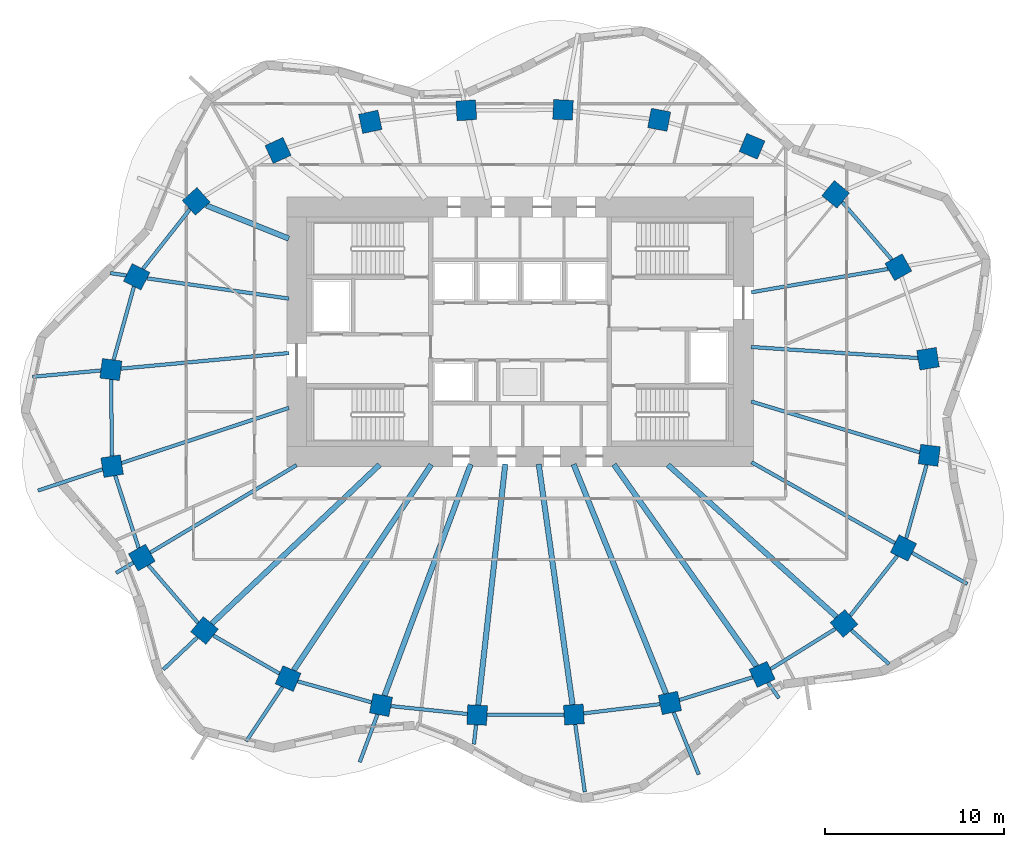
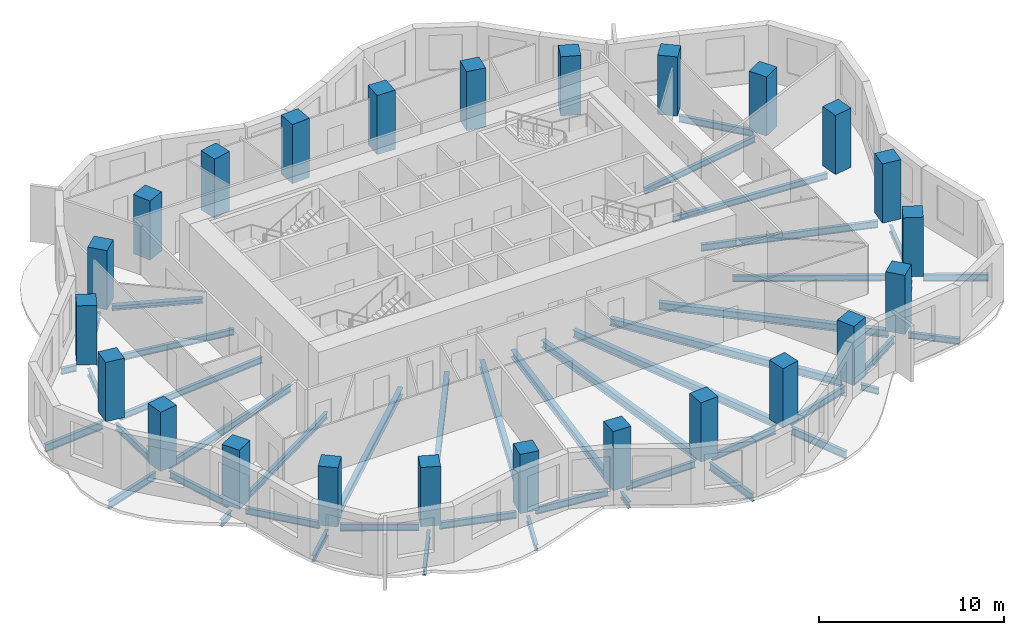
# One storey, part 1 of 10: 45 beams, 24 columns.
"""IFC4 building model written with IfcOpenShell, lengths in metres."""

import ifcopenshell
import ifcopenshell.guid

model = None  # the IFC model being written
_history = None  # IfcOwnerHistory: only IFC2X3 demands one
_inside = {}  # id of a spatial element -> (the spatial element, [elements in it])
_under = {}  # id of a project, library or spatial element -> (it, [spatial elements below it])
_declared = {}  # id of a project -> (the project, [libraries it declares])
_typed = {}  # id of a type object -> (the type object, [elements of that type])
_made_of = {}  # id of a material, layer set ... -> (it, [elements and type objects made of it])


def new_model(schema):
    """Start an empty IFC model of exactly this schema.

    Asked for "IFC4X3", IfcOpenShell would pick the latest addendum, in which some entities
    have other attributes; the version numbers below select the first issue.
    IFC2X3 requires an IfcOwnerHistory on every rooted entity: one is made here for all.
    """
    global model, _history
    if schema == "IFC4X3":
        model = ifcopenshell.file(schema_version=(4, 3, 0, 0))
    else:
        model = ifcopenshell.file(schema=schema)
    _inside.clear()
    _under.clear()
    _declared.clear()
    _typed.clear()
    _made_of.clear()
    _history = None
    if model.schema == "IFC2X3":
        org = make("IfcOrganization", Name="unknown")
        user = make(
            "IfcPersonAndOrganization",
            ThePerson=make("IfcPerson", FamilyName="unknown"),
            TheOrganization=org,
        )
        app = make(
            "IfcApplication",
            ApplicationDeveloper=org,
            Version="unknown",
            ApplicationFullName="unknown",
            ApplicationIdentifier="unknown",
        )
        _history = make(
            "IfcOwnerHistory",
            OwningUser=user,
            OwningApplication=app,
            ChangeAction="ADDED",
            CreationDate=0,
        )
    return model


def make(cls, **values):
    """One entity of the class cls with the attributes given. An attribute that is None is left unset."""
    return model.create_entity(
        cls, **{name: value for name, value in values.items() if value is not None}
    )


def rooted(cls, **values):
    """An entity with a GlobalId (a new one), such as an element, a storey or a relation."""
    return make(cls, GlobalId=ifcopenshell.guid.new(), OwnerHistory=_history, **values)


def si_unit(unit_type, name, prefix=None):
    """IfcSIUnit, for example si_unit("LENGTHUNIT", "METRE", prefix="MILLI")."""
    return make("IfcSIUnit", UnitType=unit_type, Prefix=prefix, Name=name)


def assignment(units):
    """IfcUnitAssignment: the units of a project."""
    return None if units is None else make("IfcUnitAssignment", Units=units)


def point(xyz):
    """IfcCartesianPoint."""
    return None if xyz is None else make("IfcCartesianPoint", Coordinates=xyz)


def direction(xyz):
    """IfcDirection."""
    return None if xyz is None else make("IfcDirection", DirectionRatios=xyz)


def frame(location, z_axis=None, x_axis=None):
    """IfcAxis2Placement3D, a coordinate frame: its origin and axes. An axis left out is left unset."""
    return make(
        "IfcAxis2Placement3D",
        Location=point(location),
        Axis=direction(z_axis),
        RefDirection=direction(x_axis),
    )


def frame_2d(location, x_axis=None):
    """IfcAxis2Placement2D, a coordinate frame in the plane: its origin and x axis."""
    return make(
        "IfcAxis2Placement2D", Location=point(location), RefDirection=direction(x_axis)
    )


def origin():
    """The frame at (0, 0, 0) with its axes left unset."""
    return frame((0.0, 0.0, 0.0))


def origin_2d():
    """The frame at (0, 0) in the plane with its x axis left unset."""
    return frame_2d((0.0, 0.0))


def place(relative_to, where):
    """IfcLocalPlacement: puts the frame where relative to a parent placement (None: the world)."""
    return make(
        "IfcLocalPlacement", PlacementRelTo=relative_to, RelativePlacement=where
    )


def context(
    kind, dimensions, precision=None, world=None, true_north=None, identifier=None
):
    """IfcGeometricRepresentationContext, for example the 3D "Model" context."""
    return make(
        "IfcGeometricRepresentationContext",
        ContextIdentifier=identifier,
        ContextType=kind,
        CoordinateSpaceDimension=dimensions,
        Precision=precision,
        WorldCoordinateSystem=world,
        TrueNorth=true_north,
    )


def subcontext(parent, identifier, kind, view, scale=None):
    """IfcGeometricRepresentationSubContext, for example "Body" below "Model"."""
    return make(
        "IfcGeometricRepresentationSubContext",
        ContextIdentifier=identifier,
        ContextType=kind,
        ParentContext=parent,
        TargetScale=scale,
        TargetView=view,
    )


def project(units=None, contexts=None):
    """IfcProject with its units and contexts."""
    return rooted(
        "IfcProject",
        Name="project",
        RepresentationContexts=contexts,
        UnitsInContext=assignment(units),
    )


def spatial(cls, under=None, at=None, **own):
    """A site, building, storey or space (cls), placed at a placement, below another one or the project."""
    s = rooted(cls, ObjectPlacement=at, **own)
    if under is not None:
        _under.setdefault(under.id(), (under, []))[1].append(s)
    return s


def profile(cls, at=None, kind="AREA", **sizes):
    """A parametric profile (cls). Its sizes go by their IFC names, for example OverallWidth=200.0."""
    return make(cls, ProfileType=kind, Position=at, **sizes)


def rectangle(**sizes):
    """IfcRectangleProfileDef."""
    return profile("IfcRectangleProfileDef", **sizes)


def i_section(**sizes):
    """IfcIShapeProfileDef."""
    return profile("IfcIShapeProfileDef", **sizes)


def extrude(swept, where, along, depth):
    """IfcExtrudedAreaSolid: the profile swept, set in the frame where, extruded along a direction by depth."""
    return make(
        "IfcExtrudedAreaSolid",
        SweptArea=swept,
        Position=where,
        ExtrudedDirection=direction(along),
        Depth=depth,
    )


def shape(context_of_items, identifier, shape_type, items):
    """IfcShapeRepresentation: the items that make up one representation, for example the "Body"."""
    return make(
        "IfcShapeRepresentation",
        ContextOfItems=context_of_items,
        RepresentationIdentifier=identifier,
        RepresentationType=shape_type,
        Items=items,
    )


def material(Name=None, Category=None):
    """IfcMaterial."""
    return make("IfcMaterial", Name=Name, Category=Category)


def material_profile(
    of_material, cross_section, Name=None, Category=None, Priority=None
):
    """IfcMaterialProfile: a cross section and its material."""
    return make(
        "IfcMaterialProfile",
        Name=Name,
        Material=of_material,
        Profile=cross_section,
        Priority=Priority,
        Category=Category,
    )


def profile_set(profiles, Name=None, composite=None):
    """IfcMaterialProfileSet."""
    return make(
        "IfcMaterialProfileSet",
        Name=Name,
        MaterialProfiles=profiles,
        CompositeProfile=composite,
    )


def made_of(thing, what):
    """Note that an element or type object is made of a material, layer set ...; save() writes the relation."""
    if what is not None:
        _made_of.setdefault(what.id(), (what, []))[1].append(thing)
    return thing


def type_object(cls, material=None, **own):
    """A type object (cls), such as IfcWallType, which elements share."""
    return made_of(rooted(cls, **own), material)


def element(
    cls,
    number,
    at=None,
    inside=None,
    cuts=None,
    type_object=None,
    material=None,
    context=None,
    identifier="Body",
    shape_type=None,
    held_by="IfcProductDefinitionShape",
    body=None,
    shapes=None,
    **own,
):
    """One element of the class cls, such as IfcWall. Its Tag is "e" and its number.

    at: its placement. inside: the storey or other place that contains it. cuts: it is an
    opening in that element (IfcRelVoidsElement). A single representation is given by context,
    identifier, shape_type and body (its items); several are given by shapes. held_by: the class
    of the entity that holds the representations. save() writes the other relations.
    """
    e = rooted(cls, Tag="e%d" % number, ObjectPlacement=at, **own)
    if body is not None:
        shapes = [shape(context, identifier, shape_type, body)]
    if shapes is not None:
        e.Representation = make(held_by, Representations=shapes)
    if inside is not None:
        _inside.setdefault(inside.id(), (inside, []))[1].append(e)
    if cuts is not None:
        rooted(
            "IfcRelVoidsElement", RelatingBuildingElement=cuts, RelatedOpeningElement=e
        )
    if type_object is not None:
        _typed.setdefault(type_object.id(), (type_object, []))[1].append(e)
    return made_of(e, material)


def aggregate(whole, parts):
    """IfcRelAggregates: a whole, such as a stair, and the parts it consists of."""
    return rooted("IfcRelAggregates", RelatingObject=whole, RelatedObjects=parts)


def save(model, path):
    """Write the relations noted so far, then the file.

    IfcRelAggregates (storeys below a building ...), IfcRelContainedInSpatialStructure (elements
    in a storey), IfcRelDefinesByType, IfcRelAssociatesMaterial and IfcRelDeclares: one each for
    every whole, place, type object, material and project.
    """
    for whole, parts in _under.values():
        aggregate(whole, parts)
    for where, things in _inside.values():
        rooted(
            "IfcRelContainedInSpatialStructure",
            RelatedElements=things,
            RelatingStructure=where,
        )
    for kind, things in _typed.values():
        rooted("IfcRelDefinesByType", RelatedObjects=things, RelatingType=kind)
    for what, things in _made_of.values():
        rooted("IfcRelAssociatesMaterial", RelatedObjects=things, RelatingMaterial=what)
    for by, libraries in _declared.values():
        rooted("IfcRelDeclares", RelatingContext=by, RelatedDefinitions=libraries)
    model.write(path)


model = new_model("IFC4")

# Units and contexts
model_context = context("Model", 3, precision=1e-05, world=origin(), true_north=direction((0.0, 1.0)))
body_context = subcontext(model_context, "Body", "Model", "MODEL_VIEW")
ifc_project = project(units=[si_unit("LENGTHUNIT", "METRE"), si_unit("AREAUNIT", "SQUARE_METRE"), si_unit("VOLUMEUNIT", "CUBIC_METRE"), si_unit("PLANEANGLEUNIT", "RADIAN"), si_unit("MASSUNIT", "GRAM", prefix="KILO")], contexts=[model_context])

# Site, building, storey
site_placement = place(None, origin())
site = spatial("IfcSite", under=ifc_project, at=site_placement, CompositionType="ELEMENT")
building_placement = place(site_placement, origin())
building = spatial("IfcBuilding", under=site, at=building_placement, Name="Rubra Terraces Tower", CompositionType="ELEMENT")
storey_placement = place(building_placement, frame((0.0, 0.0, 134.39990234375)))
storey = spatial("IfcBuildingStorey", under=building, at=storey_placement, Name="L32", CompositionType="ELEMENT", Elevation=134.39990234375)

# Columns
ifc_material_1 = material(Name="Concrete C50", Category="concrete")
ifc_material_profile_1 = material_profile(ifc_material_1, rectangle(XDim=1.10009765625, YDim=1.10009765625, at=origin_2d()), Name="RC 1100x1100")
ifc_profile_set_1 = profile_set([ifc_material_profile_1], Name="Concrete C50")
column_type = type_object("IfcColumnType", Name="RING COLUMN RC 1100x1100 C50", PredefinedType="COLUMN", material=ifc_profile_set_1)
for number, where, z_axis, x_axis, name in (
    (1, (22.73388671875, 2.992919921875, 0.0), (0.0, 0.0, 1.0), (-0.162062155721, 0.986780551938, 0.0), "column-L32-ring-01"),
    (2, (21.0810546875, 8.090087890625, 0.0), (0.0, 0.0, 1.0), (-0.490161823029, 0.8716314515, 0.0), "column-L32-ring-02"),
    (3, (17.583984375, 12.15087890625, 0.0), (0.0, 0.0, 1.0), (-0.770679191336, 0.637223339216, 0.0), "column-L32-ring-03"),
    (4, (12.927001953125, 14.83203125, 0.0), (0.0, 0.0, 1.0), (-0.92110553102, 0.389312985558, 0.0), "column-L32-ring-04"),
    (5, (7.7509765625, 16.306884765625, 0.0), (0.0, 0.0, 1.0), (-0.981936574306, 0.189210369799, 0.0), "column-L32-ring-05"),
    (6, (2.39208984375, 16.862060546875, 0.0), (0.0, 0.0, 1.0), (-0.998791416829, 0.049149828786, 0.0), "column-L32-ring-06"),
    (7, (-2.9990234375, 16.8359375, 0.0), (0.0, 0.0, 1.0), (-0.998059443319, -0.062268351524, 0.0), "column-L32-ring-07"),
    (8, (-8.346923828125, 16.19189453125, 0.0), (0.0, 0.0, 1.0), (-0.977944102772, -0.208866780156, 0.0), "column-L32-ring-08"),
    (9, (-13.487060546875, 14.595947265625, 0.0), (0.0, 0.0, 1.0), (-0.90972649622, -0.415208022652, 0.0), "column-L32-ring-09"),
    (10, (-18.051025390625, 11.762939453125, 0.0), (0.0, 0.0, 1.0), (-0.7456420961, -0.66634665492, 0.0), "column-L32-ring-10"),
    (11, (-21.366943359375, 7.553955078125, 0.0), (0.0, 0.0, 1.0), (-0.452078869866, -0.891977968013, 0.0), "column-L32-ring-11"),
    (12, (-22.802001953125, 2.388916015625, 0.0), (0.0, 0.0, 1.0), (-0.128535191473, -0.991704948336, 0.0), "column-L32-ring-12"),
    (13, (-22.73388671875, -2.992919921875, 0.0), (0.0, 0.0, 1.0), (0.162062155721, -0.986780551938, 0.0), "column-L32-ring-13"),
    (14, (-21.0810546875, -8.090087890625, 0.0), (0.0, 0.0, 1.0), (0.490161823029, -0.8716314515, 0.0), "column-L32-ring-14"),
    (15, (-17.583984375, -12.15087890625, 0.0), (0.0, 0.0, 1.0), (0.770679191336, -0.637223339216, 0.0), "column-L32-ring-15"),
    (16, (-12.927001953125, -14.83203125, 0.0), (0.0, 0.0, 1.0), (0.92110553102, -0.389312985558, 0.0), "column-L32-ring-16"),
    (17, (-7.7509765625, -16.306884765625, 0.0), (0.0, 0.0, 1.0), (0.981936574306, -0.189210369799, 0.0), "column-L32-ring-17"),
    (18, (-2.39208984375, -16.862060546875, 0.0), (0.0, 0.0, 1.0), (0.998791416829, -0.049149828786, 0.0), "column-L32-ring-18"),
    (19, (2.9990234375, -16.8359375, 0.0), (0.0, 0.0, 1.0), (0.998059443319, 0.062268351524, 0.0), "column-L32-ring-19"),
    (20, (8.346923828125, -16.19189453125, 0.0), (0.0, 0.0, 1.0), (0.977944102772, 0.208866780156, 0.0), "column-L32-ring-20"),
    (21, (13.487060546875, -14.595947265625, 0.0), (0.0, 0.0, 1.0), (0.90972649622, 0.415208022652, 0.0), "column-L32-ring-21"),
    (22, (18.051025390625, -11.762939453125, 0.0), (0.0, 0.0, 1.0), (0.7456420961, 0.66634665492, 0.0), "column-L32-ring-22"),
    (23, (21.366943359375, -7.553955078125, 0.0), (0.0, 0.0, 1.0), (0.452078869866, 0.891977968013, 0.0), "column-L32-ring-23"),
    (24, (22.802001953125, -2.388916015625, 0.0), (0.0, 0.0, 1.0), (0.128535191473, 0.991704948336, 0.0), "column-L32-ring-24"),
):
    element("IfcColumn", number, at=place(storey_placement, frame(where, z_axis=z_axis, x_axis=x_axis)), inside=storey, type_object=column_type, Name=name, PredefinedType="COLUMN", context=body_context, shape_type="SweptSolid", body=[
        extrude(rectangle(XDim=1.10009765625, YDim=1.10009765625, at=origin_2d()), origin(), (0.0, 0.0, 1.0), 3.900146484375),
    ])

# Beams
ifc_material_2 = material(Name="Steel Q355B", Category="steel")
ifc_material_profile_2 = material_profile(ifc_material_2, i_section(OverallWidth=0.199951171875, OverallDepth=0.39990234375, WebThickness=0.008056640625, FlangeThickness=0.012939453125, at=origin_2d()), Name="HN 400x200x8x13")
ifc_profile_set_2 = profile_set([ifc_material_profile_2], Name="Steel Q355B")
beam_type_1 = type_object("IfcBeamType", Name="CANTILEVER BEAM HN 400x200x8x13", PredefinedType="BEAM", material=ifc_profile_set_2)
beam_1_placement = place(storey_placement, frame((-17.986083984375, -12.531982421875, -0.39990234375), z_axis=(-0.726102150889, -0.68758684286, 0.0), x_axis=(0.68758684286, -0.726102150889, 0.0)))
element("IfcBeam", 25, at=beam_1_placement, inside=storey, type_object=beam_type_1, Name="beam-L32-cant-15", PredefinedType="BEAM", context=body_context, shape_type="SweptSolid", body=[
    extrude(i_section(OverallWidth=0.199951171875, OverallDepth=0.39990234375, WebThickness=0.008056640625, FlangeThickness=0.012939453125, at=origin_2d()), origin(), (0.0, 0.0, 1.0), 2.617919921875),
])
beam_2_placement = place(storey_placement, frame((-7.946044921875, -16.830078125, -0.39990234375), z_axis=(-0.349114946886, -0.937079907938, 0.0), x_axis=(0.937079907938, -0.349114946886, 0.0)))
element("IfcBeam", 26, at=beam_2_placement, inside=storey, type_object=beam_type_1, Name="beam-L32-cant-17", PredefinedType="BEAM", context=body_context, shape_type="SweptSolid", body=[
    extrude(i_section(OverallWidth=0.199951171875, OverallDepth=0.39990234375, WebThickness=0.008056640625, FlangeThickness=0.012939453125, at=origin_2d()), origin(), (0.0, 0.0, 1.0), 2.838623046875),
])
beam_3_placement = place(storey_placement, frame((18.4619140625, -12.133056640625, -0.39990234375), z_axis=(0.742863981183, -0.669442383974, 0.0), x_axis=(0.669442383974, 0.742863981183, 0.0)))
element("IfcBeam", 27, at=beam_3_placement, inside=storey, type_object=beam_type_1, Name="beam-L32-cant-22", PredefinedType="BEAM", context=body_context, shape_type="SweptSolid", body=[
    extrude(i_section(OverallWidth=0.199951171875, OverallDepth=0.39990234375, WebThickness=0.008056640625, FlangeThickness=0.012939453125, at=origin_2d()), origin(), (0.0, 0.0, 1.0), 2.822998046875),
])
ifc_material_profile_3 = material_profile(ifc_material_2, i_section(OverallWidth=0.198974609375, OverallDepth=0.446044921875, WebThickness=0.008056640625, FlangeThickness=0.011962890625, at=origin_2d()), Name="HN 446x199x8x12")
ifc_profile_set_3 = profile_set([ifc_material_profile_3], Name="Steel Q355B")
beam_type_2 = type_object("IfcBeamType", Name="CANTILEVER BEAM HN 446x199x8x12", PredefinedType="BEAM", material=ifc_profile_set_3)
beam_4_placement = place(storey_placement, frame((21.846923828125, -7.824951171875, -0.4228515625), z_axis=(0.870998946477, -0.491284881953, 0.0), x_axis=(0.491284881953, 0.870998946477, 0.0)))
element("IfcBeam", 28, at=beam_4_placement, inside=storey, type_object=beam_type_2, Name="beam-L32-cant-23", PredefinedType="BEAM", context=body_context, shape_type="SweptSolid", body=[
    extrude(i_section(OverallWidth=0.198974609375, OverallDepth=0.446044921875, WebThickness=0.008056640625, FlangeThickness=0.011962890625, at=origin_2d()), origin(), (0.0, 0.0, 1.0), 3.53173828125),
])
ifc_material_profile_4 = material_profile(ifc_material_2, i_section(OverallWidth=0.198974609375, OverallDepth=0.49609375, WebThickness=0.009033203125, FlangeThickness=0.013916015625, at=origin_2d()), Name="HN 496x199x9x14")
ifc_profile_set_4 = profile_set([ifc_material_profile_4], Name="Steel Q355B")
beam_type_3 = type_object("IfcBeamType", Name="CANTILEVER BEAM HN 496x199x9x14", PredefinedType="BEAM", material=ifc_profile_set_4)
beam_5_placement = place(storey_placement, frame((-23.363037109375, 2.3369140625, -0.447998046875), z_axis=(-0.995741870342, -0.092185289763, 0.0), x_axis=(0.092185289763, -0.995741870342, 0.0)))
element("IfcBeam", 29, at=beam_5_placement, inside=storey, type_object=beam_type_3, Name="beam-L32-cant-12", PredefinedType="BEAM", context=body_context, shape_type="SweptSolid", body=[
    extrude(i_section(OverallWidth=0.198974609375, OverallDepth=0.49609375, WebThickness=0.009033203125, FlangeThickness=0.013916015625, at=origin_2d()), origin(), (0.0, 0.0, 1.0), 3.81640625),
])
beam_6_placement = place(storey_placement, frame((-23.262939453125, -3.1669921875, -0.447998046875), z_axis=(-0.9497331334, -0.313060657575, 0.0), x_axis=(0.313060657575, -0.9497331334, 0.0)))
element("IfcBeam", 30, at=beam_6_placement, inside=storey, type_object=beam_type_3, Name="beam-L32-cant-13", PredefinedType="BEAM", context=body_context, shape_type="SweptSolid", body=[
    extrude(i_section(OverallWidth=0.198974609375, OverallDepth=0.49609375, WebThickness=0.009033203125, FlangeThickness=0.013916015625, at=origin_2d()), origin(), (0.0, 0.0, 1.0), 3.794677734375),
])
beam_7_placement = place(storey_placement, frame((-13.238037109375, -15.298095703125, -0.447998046875), z_axis=(-0.555843573912, -0.831286906754, 0.0), x_axis=(0.831286906754, -0.555843573912, 0.0)))
element("IfcBeam", 31, at=beam_7_placement, inside=storey, type_object=beam_type_3, Name="beam-L32-cant-16", PredefinedType="BEAM", context=body_context, shape_type="SweptSolid", body=[
    extrude(i_section(OverallWidth=0.198974609375, OverallDepth=0.49609375, WebThickness=0.009033203125, FlangeThickness=0.013916015625, at=origin_2d()), origin(), (0.0, 0.0, 1.0), 3.644775390625),
])
beam_8_placement = place(storey_placement, frame((3.075927734375, -17.382080078125, -0.447998046875), z_axis=(0.139115411885, -0.990276174699, 0.0), x_axis=(0.990276174699, 0.139115411885, 0.0)))
element("IfcBeam", 32, at=beam_8_placement, inside=storey, type_object=beam_type_3, Name="beam-L32-cant-19", PredefinedType="BEAM", context=body_context, shape_type="SweptSolid", body=[
    extrude(i_section(OverallWidth=0.198974609375, OverallDepth=0.49609375, WebThickness=0.009033203125, FlangeThickness=0.013916015625, at=origin_2d()), origin(), (0.0, 0.0, 1.0), 3.81005859375),
])
beam_9_placement = place(storey_placement, frame((8.555908203125, -16.7099609375, -0.447998046875), z_axis=(0.374103362082, -0.927387014401, 0.0), x_axis=(0.927387014401, 0.374103362082, 0.0)))
element("IfcBeam", 33, at=beam_9_placement, inside=storey, type_object=beam_type_3, Name="beam-L32-cant-20", PredefinedType="BEAM", context=body_context, shape_type="SweptSolid", body=[
    extrude(i_section(OverallWidth=0.198974609375, OverallDepth=0.49609375, WebThickness=0.009033203125, FlangeThickness=0.013916015625, at=origin_2d()), origin(), (0.0, 0.0, 1.0), 3.737548828125),
])
ifc_material_profile_5 = material_profile(ifc_material_2, i_section(OverallWidth=0.199951171875, OverallDepth=0.39990234375, WebThickness=0.008056640625, FlangeThickness=0.012939453125, at=origin_2d()), Name="HN 400x200x8x13")
ifc_profile_set_5 = profile_set([ifc_material_profile_5], Name="Steel Q355B")
beam_type_4 = type_object("IfcBeamType", Name="CANTILEVER STUB HN 400x200x8x13", PredefinedType="BEAM", material=ifc_profile_set_5)
beam_10_placement = place(storey_placement, frame((-21.94189453125, 7.635986328125, -0.39990234375), z_axis=(-0.989916778715, 0.141650171968, 0.0), x_axis=(-0.141650171968, -0.989916778715, 0.0)))
element("IfcBeam", 34, at=beam_10_placement, inside=storey, type_object=beam_type_4, Name="beam-L32-cant-11", PredefinedType="BEAM", context=body_context, shape_type="SweptSolid", body=[
    extrude(i_section(OverallWidth=0.199951171875, OverallDepth=0.39990234375, WebThickness=0.008056640625, FlangeThickness=0.012939453125, at=origin_2d()), origin(), (0.0, 0.0, 1.0), 0.896240234375),
])
beam_11_placement = place(storey_placement, frame((-21.552978515625, -8.3720703125, -0.39990234375), z_axis=(-0.858666080656, -0.51253542505, 0.0), x_axis=(0.51253542505, -0.858666080656, 0.0)))
element("IfcBeam", 35, at=beam_11_placement, inside=storey, type_object=beam_type_4, Name="beam-L32-cant-14", PredefinedType="BEAM", context=body_context, shape_type="SweptSolid", body=[
    extrude(i_section(OverallWidth=0.199951171875, OverallDepth=0.39990234375, WebThickness=0.008056640625, FlangeThickness=0.012939453125, at=origin_2d()), origin(), (0.0, 0.0, 1.0), 1.117919921875),
])
beam_12_placement = place(storey_placement, frame((-2.452880859375, -17.409912109375, -0.39990234375), z_axis=(-0.111318262137, -0.993784807951, 0.0), x_axis=(0.993784807951, -0.111318262137, 0.0)))
element("IfcBeam", 36, at=beam_12_placement, inside=storey, type_object=beam_type_4, Name="beam-L32-cant-18", PredefinedType="BEAM", context=body_context, shape_type="SweptSolid", body=[
    extrude(i_section(OverallWidth=0.199951171875, OverallDepth=0.39990234375, WebThickness=0.008056640625, FlangeThickness=0.012939453125, at=origin_2d()), origin(), (0.0, 0.0, 1.0), 1.087890625),
])
beam_13_placement = place(storey_placement, frame((13.81005859375, -15.052978515625, -0.39990234375), z_axis=(0.576566183684, -0.817050448768, 0.0), x_axis=(0.817050448768, 0.576566183684, 0.0)))
element("IfcBeam", 37, at=beam_13_placement, inside=storey, type_object=beam_type_4, Name="beam-L32-cant-21", PredefinedType="BEAM", context=body_context, shape_type="SweptSolid", body=[
    extrude(i_section(OverallWidth=0.199951171875, OverallDepth=0.39990234375, WebThickness=0.008056640625, FlangeThickness=0.012939453125, at=origin_2d()), origin(), (0.0, 0.0, 1.0), 1.06494140625),
])
ifc_material_profile_6 = material_profile(ifc_material_2, i_section(OverallWidth=0.300048828125, OverallDepth=0.48193359375, WebThickness=0.010986328125, FlangeThickness=0.014892578125, at=origin_2d()), Name="HM 482x300x11x15")
ifc_profile_set_6 = profile_set([ifc_material_profile_6], Name="Steel Q355B")
beam_type_5 = type_object("IfcBeamType", Name="FLOOR BEAM HM 482x300x11x15", PredefinedType="BEAM", material=ifc_profile_set_6)
beam_14_placement = place(storey_placement, frame((-17.181884765625, -11.77001953125, -0.44091796875), z_axis=(0.726100153208, 0.687588952436, 0.0), x_axis=(-0.687588952436, 0.726100153208, 0.0)))
element("IfcBeam", 38, at=beam_14_placement, inside=storey, type_object=beam_type_5, Name="beam-L32-floor-15", PredefinedType="BEAM", context=body_context, shape_type="SweptSolid", body=[
    extrude(i_section(OverallWidth=0.300048828125, OverallDepth=0.48193359375, WebThickness=0.010986328125, FlangeThickness=0.014892578125, at=origin_2d()), origin(), (0.0, 0.0, 1.0), 12.87548828125),
])
beam_15_placement = place(storey_placement, frame((-12.615966796875, -14.365966796875, -0.44091796875), z_axis=(0.555900449773, 0.831248873649, 0.0), x_axis=(-0.831248873649, 0.555900449773, 0.0)))
element("IfcBeam", 39, at=beam_15_placement, inside=storey, type_object=beam_type_5, Name="beam-L32-floor-16", PredefinedType="BEAM", context=body_context, shape_type="SweptSolid", body=[
    extrude(i_section(OverallWidth=0.300048828125, OverallDepth=0.48193359375, WebThickness=0.010986328125, FlangeThickness=0.014892578125, at=origin_2d()), origin(), (0.0, 0.0, 1.0), 13.793701171875),
])
beam_16_placement = place(storey_placement, frame((-7.555908203125, -15.783935546875, -0.44091796875), z_axis=(0.349081226263, 0.937092470075, 0.0), x_axis=(-0.937092470075, 0.349081226263, 0.0)))
element("IfcBeam", 40, at=beam_16_placement, inside=storey, type_object=beam_type_5, Name="beam-L32-floor-17", PredefinedType="BEAM", context=body_context, shape_type="SweptSolid", body=[
    extrude(i_section(OverallWidth=0.300048828125, OverallDepth=0.48193359375, WebThickness=0.010986328125, FlangeThickness=0.014892578125, at=origin_2d()), origin(), (0.0, 0.0, 1.0), 13.76171875),
])
beam_17_placement = place(storey_placement, frame((-2.3310546875, -16.31396484375, -0.44091796875), z_axis=(0.111351311584, 0.993781105379, 0.0), x_axis=(-0.993781105379, 0.111351311584, 0.0)))
element("IfcBeam", 41, at=beam_17_placement, inside=storey, type_object=beam_type_5, Name="beam-L32-floor-18", PredefinedType="BEAM", context=body_context, shape_type="SweptSolid", body=[
    extrude(i_section(OverallWidth=0.300048828125, OverallDepth=0.48193359375, WebThickness=0.010986328125, FlangeThickness=0.014892578125, at=origin_2d()), origin(), (0.0, 0.0, 1.0), 13.516845703125),
])
beam_18_placement = place(storey_placement, frame((2.922119140625, -16.2900390625, -0.44091796875), z_axis=(-0.139139078011, 0.990272849759, 0.0), x_axis=(-0.990272849759, -0.139139078011, 0.0)))
element("IfcBeam", 42, at=beam_18_placement, inside=storey, type_object=beam_type_5, Name="beam-L32-floor-19", PredefinedType="BEAM", context=body_context, shape_type="SweptSolid", body=[
    extrude(i_section(OverallWidth=0.300048828125, OverallDepth=0.48193359375, WebThickness=0.010986328125, FlangeThickness=0.014892578125, at=origin_2d()), origin(), (0.0, 0.0, 1.0), 13.54052734375),
])
beam_19_placement = place(storey_placement, frame((8.137939453125, -15.674072265625, -0.44091796875), z_axis=(-0.374072995757, 0.927399263449, 0.0), x_axis=(-0.927399263449, -0.374072995757, 0.0)))
element("IfcBeam", 43, at=beam_19_placement, inside=storey, type_object=beam_type_5, Name="beam-L32-floor-20", PredefinedType="BEAM", context=body_context, shape_type="SweptSolid", body=[
    extrude(i_section(OverallWidth=0.300048828125, OverallDepth=0.48193359375, WebThickness=0.010986328125, FlangeThickness=0.014892578125, at=origin_2d()), origin(), (0.0, 0.0, 1.0), 13.7861328125),
])
beam_20_placement = place(storey_placement, frame((13.1640625, -14.138916015625, -0.44091796875), z_axis=(-0.576885242087, 0.816825206187, 0.0), x_axis=(-0.816825206187, -0.576885242087, 0.0)))
element("IfcBeam", 44, at=beam_20_placement, inside=storey, type_object=beam_type_5, Name="beam-L32-floor-21", PredefinedType="BEAM", context=body_context, shape_type="SweptSolid", body=[
    extrude(i_section(OverallWidth=0.300048828125, OverallDepth=0.48193359375, WebThickness=0.010986328125, FlangeThickness=0.014892578125, at=origin_2d()), origin(), (0.0, 0.0, 1.0), 13.756591796875),
])
beam_21_placement = place(storey_placement, frame((17.639892578125, -11.39306640625, -0.44091796875), z_axis=(-0.742946892742, 0.669350367569, 0.0), x_axis=(-0.669350367569, -0.742946892742, 0.0)))
element("IfcBeam", 45, at=beam_21_placement, inside=storey, type_object=beam_type_5, Name="beam-L32-floor-22", PredefinedType="BEAM", context=body_context, shape_type="SweptSolid", body=[
    extrude(i_section(OverallWidth=0.300048828125, OverallDepth=0.48193359375, WebThickness=0.010986328125, FlangeThickness=0.014892578125, at=origin_2d()), origin(), (0.0, 0.0, 1.0), 12.65869140625),
])
ifc_material_profile_7 = material_profile(ifc_material_2, i_section(OverallWidth=0.199951171875, OverallDepth=0.39990234375, WebThickness=0.008056640625, FlangeThickness=0.012939453125, at=origin_2d()), Name="HN 400x200x8x13")
ifc_profile_set_7 = profile_set([ifc_material_profile_7], Name="Steel Q355B")
beam_type_6 = type_object("IfcBeamType", Name="FLOOR BEAM HN 400x200x8x13", PredefinedType="BEAM", material=ifc_profile_set_7)
beam_22_placement = place(storey_placement, frame((22.169921875, 3.030029296875, -0.39990234375), z_axis=(-0.997809110543, 0.0661587403, 0.0), x_axis=(-0.0661587403, -0.997809110543, 0.0)))
element("IfcBeam", 46, at=beam_22_placement, inside=storey, type_object=beam_type_6, Name="beam-L32-floor-01", PredefinedType="BEAM", context=body_context, shape_type="SweptSolid", body=[
    extrude(i_section(OverallWidth=0.199951171875, OverallDepth=0.39990234375, WebThickness=0.008056640625, FlangeThickness=0.012939453125, at=origin_2d()), origin(), (0.0, 0.0, 1.0), 9.310546875),
])
beam_23_placement = place(storey_placement, frame((20.5048828125, 7.991943359375, -0.39990234375), z_axis=(-0.985813612303, -0.167843742209, 0.0), x_axis=(0.167843742209, -0.985813612303, 0.0)))
element("IfcBeam", 47, at=beam_23_placement, inside=storey, type_object=beam_type_6, Name="beam-L32-floor-02", PredefinedType="BEAM", context=body_context, shape_type="SweptSolid", body=[
    extrude(i_section(OverallWidth=0.199951171875, OverallDepth=0.39990234375, WebThickness=0.008056640625, FlangeThickness=0.012939453125, at=origin_2d()), origin(), (0.0, 0.0, 1.0), 7.732421875),
])
beam_24_placement = place(storey_placement, frame((-20.7919921875, 7.471923828125, -0.39990234375), z_axis=(0.989936658262, -0.141511174924, 0.0), x_axis=(0.141511174924, 0.989936658262, 0.0)))
element("IfcBeam", 48, at=beam_24_placement, inside=storey, type_object=beam_type_6, Name="beam-L32-floor-11", PredefinedType="BEAM", context=body_context, shape_type="SweptSolid", body=[
    extrude(i_section(OverallWidth=0.199951171875, OverallDepth=0.39990234375, WebThickness=0.008056640625, FlangeThickness=0.012939453125, at=origin_2d()), origin(), (0.0, 0.0, 1.0), 7.9912109375),
])
beam_25_placement = place(storey_placement, frame((-22.240966796875, 2.44091796875, -0.39990234375), z_axis=(0.995735462061, 0.092254482791, 0.0), x_axis=(-0.092254482791, 0.995735462061, 0.0)))
element("IfcBeam", 49, at=beam_25_placement, inside=storey, type_object=beam_type_6, Name="beam-L32-floor-12", PredefinedType="BEAM", context=body_context, shape_type="SweptSolid", body=[
    extrude(i_section(OverallWidth=0.199951171875, OverallDepth=0.39990234375, WebThickness=0.008056640625, FlangeThickness=0.012939453125, at=origin_2d()), origin(), (0.0, 0.0, 1.0), 9.39990234375),
])
beam_26_placement = place(storey_placement, frame((-20.60888671875, -7.80810546875, -0.39990234375), z_axis=(0.858520950698, 0.51277848747, 0.0), x_axis=(-0.51277848747, 0.858520950698, 0.0)))
element("IfcBeam", 50, at=beam_26_placement, inside=storey, type_object=beam_type_6, Name="beam-L32-floor-14", PredefinedType="BEAM", context=body_context, shape_type="SweptSolid", body=[
    extrude(i_section(OverallWidth=0.199951171875, OverallDepth=0.39990234375, WebThickness=0.008056640625, FlangeThickness=0.012939453125, at=origin_2d()), origin(), (0.0, 0.0, 1.0), 9.49755859375),
])
beam_27_placement = place(storey_placement, frame((20.886962890625, -7.282958984375, -0.39990234375), z_axis=(-0.870988685804, 0.491303072656, 0.0), x_axis=(-0.491303072656, -0.870988685804, 0.0)))
element("IfcBeam", 51, at=beam_27_placement, inside=storey, type_object=beam_type_6, Name="beam-L32-floor-23", PredefinedType="BEAM", context=body_context, shape_type="SweptSolid", body=[
    extrude(i_section(OverallWidth=0.199951171875, OverallDepth=0.39990234375, WebThickness=0.008056640625, FlangeThickness=0.012939453125, at=origin_2d()), origin(), (0.0, 0.0, 1.0), 9.17578125),
])
ifc_material_profile_8 = material_profile(ifc_material_2, i_section(OverallWidth=0.198974609375, OverallDepth=0.446044921875, WebThickness=0.008056640625, FlangeThickness=0.011962890625, at=origin_2d()), Name="HN 446x199x8x12")
ifc_profile_set_8 = profile_set([ifc_material_profile_8], Name="Steel Q355B")
beam_type_7 = type_object("IfcBeamType", Name="FLOOR BEAM HN 446x199x8x12", PredefinedType="BEAM", material=ifc_profile_set_8)
beam_28_placement = place(storey_placement, frame((-22.205078125, -2.819091796875, -0.4228515625), z_axis=(0.949728041792, 0.313076103583, 0.0), x_axis=(-0.313076103583, 0.949728041792, 0.0)))
element("IfcBeam", 52, at=beam_28_placement, inside=storey, type_object=beam_type_7, Name="beam-L32-floor-13", PredefinedType="BEAM", context=body_context, shape_type="SweptSolid", body=[
    extrude(i_section(OverallWidth=0.198974609375, OverallDepth=0.446044921875, WebThickness=0.008056640625, FlangeThickness=0.011962890625, at=origin_2d()), origin(), (0.0, 0.0, 1.0), 9.8125),
])
beam_29_placement = place(storey_placement, frame((22.26806640625, -2.22802734375, -0.4228515625), z_axis=(-0.957261634756, 0.289223378419, 0.0), x_axis=(-0.289223378419, -0.957261634756, 0.0)))
element("IfcBeam", 53, at=beam_29_placement, inside=storey, type_object=beam_type_7, Name="beam-L32-floor-24", PredefinedType="BEAM", context=body_context, shape_type="SweptSolid", body=[
    extrude(i_section(OverallWidth=0.198974609375, OverallDepth=0.446044921875, WebThickness=0.008056640625, FlangeThickness=0.011962890625, at=origin_2d()), origin(), (0.0, 0.0, 1.0), 9.802001953125),
])
ifc_material_profile_9 = material_profile(ifc_material_2, i_section(OverallWidth=0.304931640625, OverallDepth=0.300048828125, WebThickness=0.014892578125, FlangeThickness=0.014892578125, at=origin_2d()), Name="HW 300x305x15x15")
ifc_profile_set_9 = profile_set([ifc_material_profile_9], Name="Steel Q355B")
beam_type_8 = type_object("IfcBeamType", Name="FLOOR BEAM HW 300x305x15x15", PredefinedType="BEAM", material=ifc_profile_set_9)
beam_30_placement = place(storey_placement, frame((-17.48193359375, 11.533935546875, -0.349853515625), z_axis=(0.927730023822, -0.373251929533, 0.0), x_axis=(0.373251929533, 0.927730023822, 0.0)))
element("IfcBeam", 54, at=beam_30_placement, inside=storey, type_object=beam_type_8, Name="beam-L32-floor-10", PredefinedType="BEAM", context=body_context, shape_type="SweptSolid", body=[
    extrude(i_section(OverallWidth=0.304931640625, OverallDepth=0.300048828125, WebThickness=0.014892578125, FlangeThickness=0.014892578125, at=origin_2d()), origin(), (0.0, 0.0, 1.0), 4.950927734375),
])
ifc_material_profile_10 = material_profile(ifc_material_2, i_section(OverallWidth=0.198974609375, OverallDepth=0.446044921875, WebThickness=0.008056640625, FlangeThickness=0.011962890625, at=origin_2d()), Name="HN 446x199x8x12")
ifc_profile_set_10 = profile_set([ifc_material_profile_10], Name="Steel Q355B")
beam_type_9 = type_object("IfcBeamType", Name="SPANDREL BEAM HN 446x199x8x12", PredefinedType="SPANDREL", material=ifc_profile_set_10)
beam_31_placement = place(storey_placement, frame((20.715087890625, 8.514892578125, -0.4228515625), z_axis=(-0.65255344008, 0.757742705567, 0.0), x_axis=(-0.757742705567, -0.65255344008, 0.0)))
element("IfcBeam", 55, at=beam_31_placement, inside=storey, type_object=beam_type_9, Name="beam-L32-spandrel-02", PredefinedType="SPANDREL", context=body_context, shape_type="SweptSolid", body=[
    extrude(i_section(OverallWidth=0.198974609375, OverallDepth=0.446044921875, WebThickness=0.008056640625, FlangeThickness=0.011962890625, at=origin_2d()), origin(), (0.0, 0.0, 1.0), 4.240478515625),
])
beam_32_placement = place(storey_placement, frame((-18.39697265625, 11.323974609375, -0.4228515625), z_axis=(-0.618917461688, -0.785456030353, 0.0), x_axis=(0.785456030353, -0.618917461688, 0.0)))
element("IfcBeam", 56, at=beam_32_placement, inside=storey, type_object=beam_type_9, Name="beam-L32-spandrel-10", PredefinedType="SPANDREL", context=body_context, shape_type="SweptSolid", body=[
    extrude(i_section(OverallWidth=0.198974609375, OverallDepth=0.446044921875, WebThickness=0.008056640625, FlangeThickness=0.011962890625, at=origin_2d()), origin(), (0.0, 0.0, 1.0), 4.238037109375),
])
beam_33_placement = place(storey_placement, frame((-21.51708984375, 7.013916015625, -0.4228515625), z_axis=(-0.267626064819, -0.96352285361, 0.0), x_axis=(0.96352285361, -0.267626064819, 0.0)))
element("IfcBeam", 57, at=beam_33_placement, inside=storey, type_object=beam_type_9, Name="beam-L32-spandrel-11", PredefinedType="SPANDREL", context=body_context, shape_type="SweptSolid", body=[
    extrude(i_section(OverallWidth=0.198974609375, OverallDepth=0.446044921875, WebThickness=0.008056640625, FlangeThickness=0.011962890625, at=origin_2d()), origin(), (0.0, 0.0, 1.0), 4.24462890625),
])
beam_34_placement = place(storey_placement, frame((-22.794921875, 1.8330078125, -0.4228515625), z_axis=(0.012634783266, -0.99992017794, 0.0), x_axis=(0.99992017794, 0.012634783266, 0.0)))
element("IfcBeam", 58, at=beam_34_placement, inside=storey, type_object=beam_type_9, Name="beam-L32-spandrel-12", PredefinedType="SPANDREL", context=body_context, shape_type="SweptSolid", body=[
    extrude(i_section(OverallWidth=0.198974609375, OverallDepth=0.446044921875, WebThickness=0.008056640625, FlangeThickness=0.011962890625, at=origin_2d()), origin(), (0.0, 0.0, 1.0), 4.270263671875),
])
beam_35_placement = place(storey_placement, frame((-22.56201171875, -3.52197265625, -0.4228515625), z_axis=(0.308462461648, -0.951236516201, 0.0), x_axis=(0.951236516201, 0.308462461648, 0.0)))
element("IfcBeam", 59, at=beam_35_placement, inside=storey, type_object=beam_type_9, Name="beam-L32-spandrel-13", PredefinedType="SPANDREL", context=body_context, shape_type="SweptSolid", body=[
    extrude(i_section(OverallWidth=0.198974609375, OverallDepth=0.446044921875, WebThickness=0.008056640625, FlangeThickness=0.011962890625, at=origin_2d()), origin(), (0.0, 0.0, 1.0), 4.24072265625),
])
beam_36_placement = place(storey_placement, frame((-20.715087890625, -8.514892578125, -0.4228515625), z_axis=(0.65255344008, -0.757742705567, 0.0), x_axis=(0.757742705567, 0.65255344008, 0.0)))
element("IfcBeam", 60, at=beam_36_placement, inside=storey, type_object=beam_type_9, Name="beam-L32-spandrel-14", PredefinedType="SPANDREL", context=body_context, shape_type="SweptSolid", body=[
    extrude(i_section(OverallWidth=0.198974609375, OverallDepth=0.446044921875, WebThickness=0.008056640625, FlangeThickness=0.011962890625, at=origin_2d()), origin(), (0.0, 0.0, 1.0), 4.240478515625),
])
beam_37_placement = place(storey_placement, frame((-17.10009765625, -12.428955078125, -0.4228515625), z_axis=(0.866560147027, -0.49907265161, 0.0), x_axis=(0.49907265161, 0.866560147027, 0.0)))
element("IfcBeam", 61, at=beam_37_placement, inside=storey, type_object=beam_type_9, Name="beam-L32-spandrel-15", PredefinedType="SPANDREL", context=body_context, shape_type="SweptSolid", body=[
    extrude(i_section(OverallWidth=0.198974609375, OverallDepth=0.446044921875, WebThickness=0.008056640625, FlangeThickness=0.011962890625, at=origin_2d()), origin(), (0.0, 0.0, 1.0), 4.26171875),
])
beam_38_placement = place(storey_placement, frame((-12.39404296875, -14.98388671875, -0.4228515625), z_axis=(0.961693978406, -0.274125321518, 0.0), x_axis=(0.274125321518, 0.961693978406, 0.0)))
element("IfcBeam", 62, at=beam_38_placement, inside=storey, type_object=beam_type_9, Name="beam-L32-spandrel-16", PredefinedType="SPANDREL", context=body_context, shape_type="SweptSolid", body=[
    extrude(i_section(OverallWidth=0.198974609375, OverallDepth=0.446044921875, WebThickness=0.008056640625, FlangeThickness=0.011962890625, at=origin_2d()), origin(), (0.0, 0.0, 1.0), 4.27587890625),
])
beam_39_placement = place(storey_placement, frame((-7.201904296875, -16.364013671875, -0.4228515625), z_axis=(0.994691190497, -0.102904983103, 0.0), x_axis=(0.102904983103, 0.994691190497, 0.0)))
element("IfcBeam", 63, at=beam_39_placement, inside=storey, type_object=beam_type_9, Name="beam-L32-spandrel-17", PredefinedType="SPANDREL", context=body_context, shape_type="SweptSolid", body=[
    extrude(i_section(OverallWidth=0.198974609375, OverallDepth=0.446044921875, WebThickness=0.008056640625, FlangeThickness=0.011962890625, at=origin_2d()), origin(), (0.0, 0.0, 1.0), 4.28466796875),
])
beam_40_placement = place(storey_placement, frame((-1.841064453125, -16.85888671875, -0.4228515625), z_axis=(0.999989371096, 0.004610606731, 0.0), x_axis=(-0.004610606731, 0.999989371096, 0.0)))
element("IfcBeam", 64, at=beam_40_placement, inside=storey, type_object=beam_type_9, Name="beam-L32-spandrel-18", PredefinedType="SPANDREL", context=body_context, shape_type="SweptSolid", body=[
    extrude(i_section(OverallWidth=0.198974609375, OverallDepth=0.446044921875, WebThickness=0.008056640625, FlangeThickness=0.011962890625, at=origin_2d()), origin(), (0.0, 0.0, 1.0), 4.2890625),
])
beam_41_placement = place(storey_placement, frame((3.5458984375, -16.77001953125, -0.4228515625), z_axis=(0.992833084949, 0.119509269223, 0.0), x_axis=(-0.119509269223, 0.992833084949, 0.0)))
element("IfcBeam", 65, at=beam_41_placement, inside=storey, type_object=beam_type_9, Name="beam-L32-spandrel-19", PredefinedType="SPANDREL", context=body_context, shape_type="SweptSolid", body=[
    extrude(i_section(OverallWidth=0.198974609375, OverallDepth=0.446044921875, WebThickness=0.008056640625, FlangeThickness=0.011962890625, at=origin_2d()), origin(), (0.0, 0.0, 1.0), 4.283935546875),
])
beam_42_placement = place(storey_placement, frame((8.8740234375, -16.028076171875, -0.4228515625), z_axis=(0.955002801089, 0.296596780008, 0.0), x_axis=(-0.296596780008, 0.955002801089, 0.0)))
element("IfcBeam", 66, at=beam_42_placement, inside=storey, type_object=beam_type_9, Name="beam-L32-spandrel-20", PredefinedType="SPANDREL", context=body_context, shape_type="SweptSolid", body=[
    extrude(i_section(OverallWidth=0.198974609375, OverallDepth=0.446044921875, WebThickness=0.008056640625, FlangeThickness=0.011962890625, at=origin_2d()), origin(), (0.0, 0.0, 1.0), 4.275390625),
])
beam_43_placement = place(storey_placement, frame((13.9580078125, -14.303955078125, -0.4228515625), z_axis=(0.849549830498, 0.527508374816, 0.0), x_axis=(-0.527508374816, 0.849549830498, 0.0)))
element("IfcBeam", 67, at=beam_43_placement, inside=storey, type_object=beam_type_9, Name="beam-L32-spandrel-21", PredefinedType="SPANDREL", context=body_context, shape_type="SweptSolid", body=[
    extrude(i_section(OverallWidth=0.198974609375, OverallDepth=0.446044921875, WebThickness=0.008056640625, FlangeThickness=0.011962890625, at=origin_2d()), origin(), (0.0, 0.0, 1.0), 4.259765625),
])
beam_44_placement = place(storey_placement, frame((18.39697265625, -11.323974609375, -0.4228515625), z_axis=(0.618917461688, 0.785456030353, 0.0), x_axis=(-0.785456030353, 0.618917461688, 0.0)))
element("IfcBeam", 68, at=beam_44_placement, inside=storey, type_object=beam_type_9, Name="beam-L32-spandrel-22", PredefinedType="SPANDREL", context=body_context, shape_type="SweptSolid", body=[
    extrude(i_section(OverallWidth=0.198974609375, OverallDepth=0.446044921875, WebThickness=0.008056640625, FlangeThickness=0.011962890625, at=origin_2d()), origin(), (0.0, 0.0, 1.0), 4.238037109375),
])
beam_45_placement = place(storey_placement, frame((21.51708984375, -7.013916015625, -0.4228515625), z_axis=(0.267626064819, 0.96352285361, 0.0), x_axis=(-0.96352285361, 0.267626064819, 0.0)))
element("IfcBeam", 69, at=beam_45_placement, inside=storey, type_object=beam_type_9, Name="beam-L32-spandrel-23", PredefinedType="SPANDREL", context=body_context, shape_type="SweptSolid", body=[
    extrude(i_section(OverallWidth=0.198974609375, OverallDepth=0.446044921875, WebThickness=0.008056640625, FlangeThickness=0.011962890625, at=origin_2d()), origin(), (0.0, 0.0, 1.0), 4.24462890625),
])

save(model, "model.ifc")
